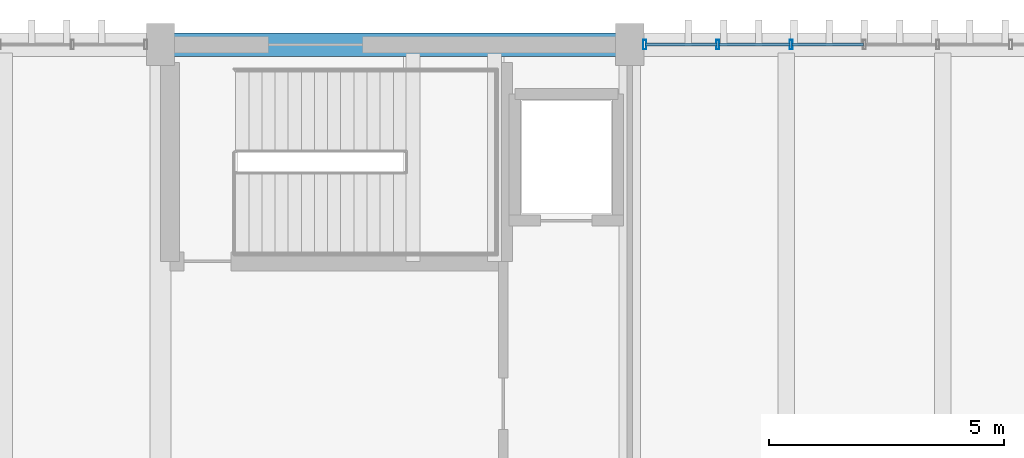
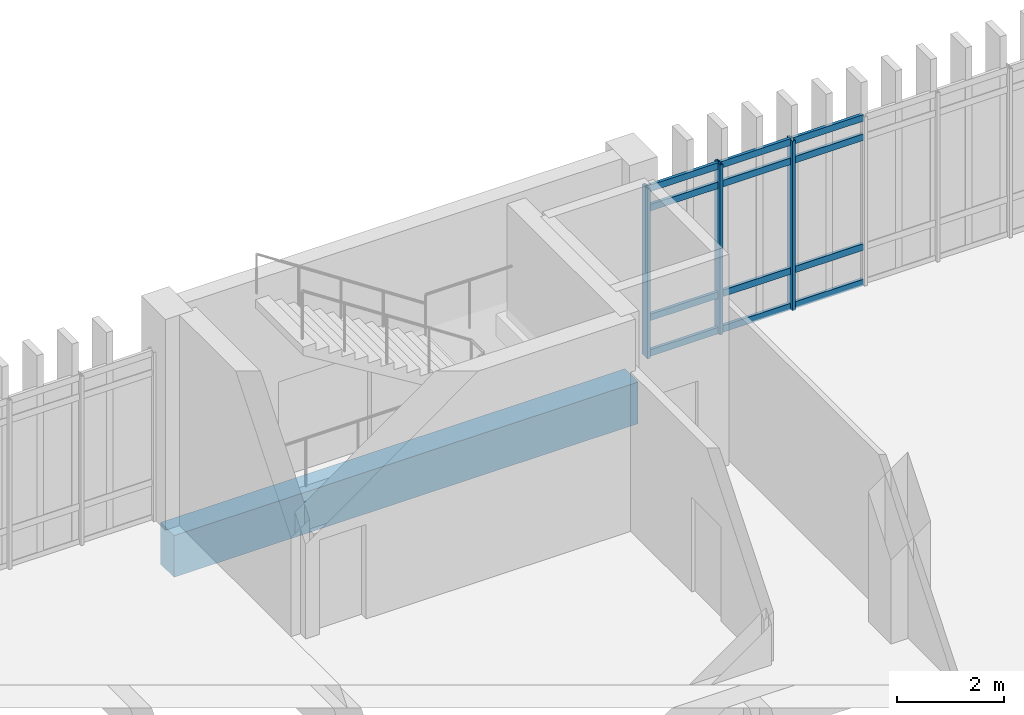
# One storey, part 53 of 87: 15 members, 1 beam, 1 element without a shape of its own.
"""IFC4 building model written with IfcOpenShell, lengths in metres."""

from ifc_helpers import new_model, si_unit, direction, frame, origin, origin_2d, place, context, subcontext, project, spatial, rectangle, hollow_rectangle, extrude, material, layer, layer_set, material_profile, profile_set, type_object, element, aggregate, save


model = new_model("IFC4")

# Units and contexts
model_context = context("Model", 3, precision=1e-05, world=origin(), true_north=direction((0.0, 1.0)))
body_context = subcontext(model_context, "Body", "Model", "MODEL_VIEW")
ifc_project = project(units=[si_unit("LENGTHUNIT", "METRE"), si_unit("AREAUNIT", "SQUARE_METRE"), si_unit("VOLUMEUNIT", "CUBIC_METRE"), si_unit("PLANEANGLEUNIT", "RADIAN"), si_unit("MASSUNIT", "GRAM", prefix="KILO")], contexts=[model_context])

# Site, building, storey
site_placement = place(None, origin())
site = spatial("IfcSite", under=ifc_project, at=site_placement, CompositionType="ELEMENT")
building_placement = place(site_placement, origin())
building = spatial("IfcBuilding", under=site, at=building_placement, Name="Mersad Railyard Sports Hall", CompositionType="ELEMENT")
storey_placement = place(building_placement, origin())
storey = spatial("IfcBuildingStorey", under=building, at=storey_placement, Name="L00", CompositionType="ELEMENT", Elevation=0.0)

# Curtain wall, members
ifc_material_1 = material(Name="Aluminium 6063-T6", Category="aluminium")
ifc_layer = layer(ifc_material_1, 0.199951171875)
ifc_layer_set = layer_set([ifc_layer], Name="Aluminium 6063-T6")
curtain_wall_type = type_object("IfcCurtainWallType", Name="ARC-CW-CW29", PredefinedType="USERDEFINED", material=ifc_layer_set)
curtain_wall_placement = place(storey_placement, origin())
curtain_wall = element("IfcCurtainWall", 1, at=curtain_wall_placement, inside=storey, type_object=curtain_wall_type, Name="Curtain wall CW29-0086", ObjectType="CURTAIN WALL", PredefinedType="USERDEFINED")
ifc_material_profile_1 = material_profile(ifc_material_1, hollow_rectangle(XDim=0.06494140625, YDim=0.199951171875, WallThickness=0.0048828125, at=origin_2d()), Name="AL MULLION 65x200x5")
ifc_profile_set_1 = profile_set([ifc_material_profile_1], Name="Aluminium 6063-T6")
member_type_1 = type_object("IfcMemberType", Name="ARC-CW-MUL02", PredefinedType="MULLION", material=ifc_profile_set_1)
member_1_placement = place(storey_placement, frame((121.320068359375, 115.0, -0.02001953125), z_axis=(0.0, 0.0, 1.0), x_axis=(1.0, 0.0, 0.0)))
member_1 = element("IfcMember", 2, at=member_1_placement, type_object=member_type_1, Name="CW29 Mullion 1", PredefinedType="MULLION", context=body_context, shape_type="SweptSolid", body=[
    extrude(hollow_rectangle(XDim=0.06494140625, YDim=0.199951171875, WallThickness=0.0048828125, at=origin_2d()), origin(), (0.0, 0.0, 1.0), 3.8701171875),
])
member_2_placement = place(storey_placement, frame((122.8798828125, 115.0, -0.02001953125), z_axis=(0.0, 0.0, 1.0), x_axis=(1.0, 0.0, 0.0)))
member_2 = element("IfcMember", 3, at=member_2_placement, type_object=member_type_1, Name="CW29 Mullion 2", PredefinedType="MULLION", context=body_context, shape_type="SweptSolid", body=[
    extrude(hollow_rectangle(XDim=0.06494140625, YDim=0.199951171875, WallThickness=0.0048828125, at=origin_2d()), origin(), (0.0, 0.0, 1.0), 3.8701171875),
])
member_3_placement = place(storey_placement, frame((124.43994140625, 115.0, -0.02001953125), z_axis=(0.0, 0.0, 1.0), x_axis=(1.0, 0.0, 0.0)))
member_3 = element("IfcMember", 4, at=member_3_placement, type_object=member_type_1, Name="CW29 Mullion 3", PredefinedType="MULLION", context=body_context, shape_type="SweptSolid", body=[
    extrude(hollow_rectangle(XDim=0.06494140625, YDim=0.199951171875, WallThickness=0.0048828125, at=origin_2d()), origin(), (0.0, 0.0, 1.0), 3.8701171875),
])
ifc_material_profile_2 = material_profile(ifc_material_1, hollow_rectangle(XDim=0.06494140625, YDim=0.14990234375, WallThickness=0.00439453125, at=origin_2d()), Name="AL TRANSOM 65x150x4.5")
ifc_profile_set_2 = profile_set([ifc_material_profile_2], Name="Aluminium 6063-T6")
member_type_2 = type_object("IfcMemberType", Name="ARC-CW-TRN02", PredefinedType="USERDEFINED", material=ifc_profile_set_2)
member_4_placement = place(storey_placement, frame((121.340087890625, 115.0, 0.0400390625), z_axis=(1.0, 0.0, 0.0), x_axis=(0.0, 1.0, 0.0)))
member_4 = element("IfcMember", 5, at=member_4_placement, type_object=member_type_2, Name="CW29 Transom 1-1", ObjectType="TRANSOM", PredefinedType="USERDEFINED", context=body_context, shape_type="SweptSolid", body=[
    extrude(hollow_rectangle(XDim=0.06494140625, YDim=0.14990234375, WallThickness=0.00439453125, at=origin_2d()), origin(), (0.0, 0.0, 1.0), 1.52001953125),
])
member_5_placement = place(storey_placement, frame((122.89990234375, 115.0, 0.0400390625), z_axis=(1.0, 0.0, 0.0), x_axis=(0.0, 1.0, 0.0)))
member_5 = element("IfcMember", 6, at=member_5_placement, type_object=member_type_2, Name="CW29 Transom 1-2", ObjectType="TRANSOM", PredefinedType="USERDEFINED", context=body_context, shape_type="SweptSolid", body=[
    extrude(hollow_rectangle(XDim=0.06494140625, YDim=0.14990234375, WallThickness=0.00439453125, at=origin_2d()), origin(), (0.0, 0.0, 1.0), 1.52001953125),
])
member_6_placement = place(storey_placement, frame((124.4599609375, 115.0, 0.0400390625), z_axis=(1.0, 0.0, 0.0), x_axis=(0.0, 1.0, 0.0)))
member_6 = element("IfcMember", 7, at=member_6_placement, type_object=member_type_2, Name="CW29 Transom 1-3", ObjectType="TRANSOM", PredefinedType="USERDEFINED", context=body_context, shape_type="SweptSolid", body=[
    extrude(hollow_rectangle(XDim=0.06494140625, YDim=0.14990234375, WallThickness=0.00439453125, at=origin_2d()), origin(), (0.0, 0.0, 1.0), 1.52001953125),
])
member_7_placement = place(storey_placement, frame((121.340087890625, 115.0, 0.85009765625), z_axis=(1.0, 0.0, 0.0), x_axis=(0.0, 1.0, 0.0)))
member_7 = element("IfcMember", 8, at=member_7_placement, type_object=member_type_2, Name="CW29 Transom 2-1", ObjectType="TRANSOM", PredefinedType="USERDEFINED", context=body_context, shape_type="SweptSolid", body=[
    extrude(hollow_rectangle(XDim=0.06494140625, YDim=0.14990234375, WallThickness=0.00439453125, at=origin_2d()), origin(), (0.0, 0.0, 1.0), 1.52001953125),
])
member_8_placement = place(storey_placement, frame((122.89990234375, 115.0, 0.85009765625), z_axis=(1.0, 0.0, 0.0), x_axis=(0.0, 1.0, 0.0)))
member_8 = element("IfcMember", 9, at=member_8_placement, type_object=member_type_2, Name="CW29 Transom 2-2", ObjectType="TRANSOM", PredefinedType="USERDEFINED", context=body_context, shape_type="SweptSolid", body=[
    extrude(hollow_rectangle(XDim=0.06494140625, YDim=0.14990234375, WallThickness=0.00439453125, at=origin_2d()), origin(), (0.0, 0.0, 1.0), 1.52001953125),
])
member_9_placement = place(storey_placement, frame((124.4599609375, 115.0, 0.85009765625), z_axis=(1.0, 0.0, 0.0), x_axis=(0.0, 1.0, 0.0)))
member_9 = element("IfcMember", 10, at=member_9_placement, type_object=member_type_2, Name="CW29 Transom 2-3", ObjectType="TRANSOM", PredefinedType="USERDEFINED", context=body_context, shape_type="SweptSolid", body=[
    extrude(hollow_rectangle(XDim=0.06494140625, YDim=0.14990234375, WallThickness=0.00439453125, at=origin_2d()), origin(), (0.0, 0.0, 1.0), 1.52001953125),
])
member_10_placement = place(storey_placement, frame((121.340087890625, 115.0, 3.35009765625), z_axis=(1.0, 0.0, 0.0), x_axis=(0.0, 1.0, 0.0)))
member_10 = element("IfcMember", 11, at=member_10_placement, type_object=member_type_2, Name="CW29 Transom 3-1", ObjectType="TRANSOM", PredefinedType="USERDEFINED", context=body_context, shape_type="SweptSolid", body=[
    extrude(hollow_rectangle(XDim=0.06494140625, YDim=0.14990234375, WallThickness=0.00439453125, at=origin_2d()), origin(), (0.0, 0.0, 1.0), 1.52001953125),
])
member_11_placement = place(storey_placement, frame((122.89990234375, 115.0, 3.35009765625), z_axis=(1.0, 0.0, 0.0), x_axis=(0.0, 1.0, 0.0)))
member_11 = element("IfcMember", 12, at=member_11_placement, type_object=member_type_2, Name="CW29 Transom 3-2", ObjectType="TRANSOM", PredefinedType="USERDEFINED", context=body_context, shape_type="SweptSolid", body=[
    extrude(hollow_rectangle(XDim=0.06494140625, YDim=0.14990234375, WallThickness=0.00439453125, at=origin_2d()), origin(), (0.0, 0.0, 1.0), 1.52001953125),
])
member_12_placement = place(storey_placement, frame((124.4599609375, 115.0, 3.35009765625), z_axis=(1.0, 0.0, 0.0), x_axis=(0.0, 1.0, 0.0)))
member_12 = element("IfcMember", 13, at=member_12_placement, type_object=member_type_2, Name="CW29 Transom 3-3", ObjectType="TRANSOM", PredefinedType="USERDEFINED", context=body_context, shape_type="SweptSolid", body=[
    extrude(hollow_rectangle(XDim=0.06494140625, YDim=0.14990234375, WallThickness=0.00439453125, at=origin_2d()), origin(), (0.0, 0.0, 1.0), 1.52001953125),
])
member_13_placement = place(storey_placement, frame((121.340087890625, 115.0, 3.7900390625), z_axis=(1.0, 0.0, 0.0), x_axis=(0.0, 1.0, 0.0)))
member_13 = element("IfcMember", 14, at=member_13_placement, type_object=member_type_2, Name="CW29 Transom 4-1", ObjectType="TRANSOM", PredefinedType="USERDEFINED", context=body_context, shape_type="SweptSolid", body=[
    extrude(hollow_rectangle(XDim=0.06494140625, YDim=0.14990234375, WallThickness=0.00439453125, at=origin_2d()), origin(), (0.0, 0.0, 1.0), 1.52001953125),
])
member_14_placement = place(storey_placement, frame((122.89990234375, 115.0, 3.7900390625), z_axis=(1.0, 0.0, 0.0), x_axis=(0.0, 1.0, 0.0)))
member_14 = element("IfcMember", 15, at=member_14_placement, type_object=member_type_2, Name="CW29 Transom 4-2", ObjectType="TRANSOM", PredefinedType="USERDEFINED", context=body_context, shape_type="SweptSolid", body=[
    extrude(hollow_rectangle(XDim=0.06494140625, YDim=0.14990234375, WallThickness=0.00439453125, at=origin_2d()), origin(), (0.0, 0.0, 1.0), 1.52001953125),
])
member_15_placement = place(storey_placement, frame((124.4599609375, 115.0, 3.7900390625), z_axis=(1.0, 0.0, 0.0), x_axis=(0.0, 1.0, 0.0)))
member_15 = element("IfcMember", 16, at=member_15_placement, type_object=member_type_2, Name="CW29 Transom 4-3", ObjectType="TRANSOM", PredefinedType="USERDEFINED", context=body_context, shape_type="SweptSolid", body=[
    extrude(hollow_rectangle(XDim=0.06494140625, YDim=0.14990234375, WallThickness=0.00439453125, at=origin_2d()), origin(), (0.0, 0.0, 1.0), 1.52001953125),
])
aggregate(curtain_wall, [member_1, member_2, member_3, member_4, member_5, member_6, member_7, member_8, member_9, member_10, member_11, member_12, member_13, member_14, member_15])

# Beam
ifc_material_2 = material(Name="Concrete C50/60", Category="concrete")
ifc_material_profile_3 = material_profile(ifc_material_2, rectangle(XDim=0.5, YDim=0.949951171875, at=origin_2d()), Name="RC 500x950")
ifc_profile_set_3 = profile_set([ifc_material_profile_3], Name="Concrete C50/60")
beam_type = type_object("IfcBeamType", Name="STR-BM-B03", PredefinedType="BEAM", material=ifc_profile_set_3)
beam_placement = place(storey_placement, frame((111.0, 115.0, -0.824951171875), z_axis=(1.0, 0.0, 0.0), x_axis=(0.0, 1.0, 0.0)))
element("IfcBeam", 17, at=beam_placement, inside=storey, type_object=beam_type, Name="Beam B03-0172", PredefinedType="BEAM", context=body_context, shape_type="SweptSolid", body=[
    extrude(rectangle(XDim=0.5, YDim=0.949951171875, at=origin_2d()), origin(), (0.0, 0.0, 1.0), 10.0),
])

save(model, "model.ifc")
